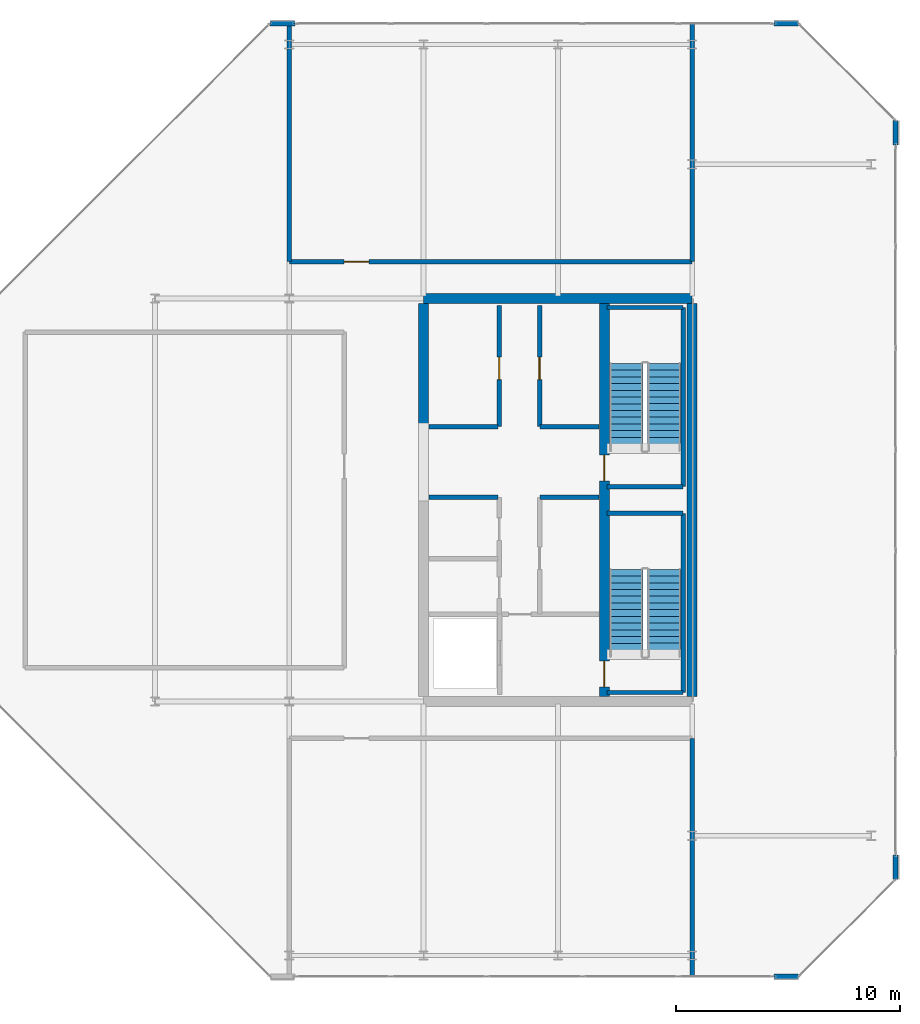
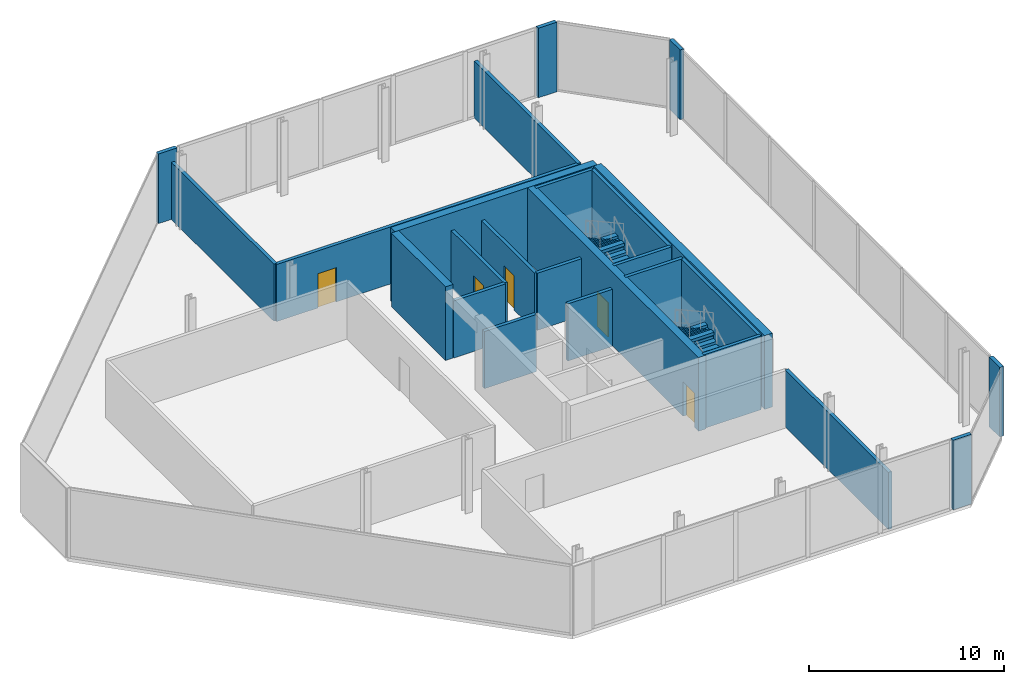
# One storey, part 14 of 16: 25 walls, 5 doors, 4 stair flights, 5 openings, 2 elements without a shape of their own.
"""IFC4 building model written with IfcOpenShell, lengths in metres."""

from ifc_helpers import new_model, si_unit, direction, frame, frame_2d, origin, place, context, subcontext, project, spatial, polyline, rectangle, outline, extrude, material, layer, layer_set, type_object, element, fill, aggregate, save


model = new_model("IFC4")

# Units and contexts
model_context = context("Model", 3, precision=1e-05, world=origin(), true_north=direction((0.0, 1.0)))
body_context = subcontext(model_context, "Body", "Model", "MODEL_VIEW")
ifc_project = project(units=[si_unit("LENGTHUNIT", "METRE"), si_unit("AREAUNIT", "SQUARE_METRE"), si_unit("VOLUMEUNIT", "CUBIC_METRE"), si_unit("PLANEANGLEUNIT", "RADIAN"), si_unit("MASSUNIT", "GRAM", prefix="KILO")], contexts=[model_context])

# Site, building, storey
site_placement = place(None, origin())
site = spatial("IfcSite", under=ifc_project, at=site_placement, CompositionType="ELEMENT")
building_placement = place(site_placement, origin())
building = spatial("IfcBuilding", under=site, at=building_placement, Name="Tanjung Sevakor Pilgrim Tower", CompositionType="ELEMENT")
storey_placement = place(building_placement, frame((0.0, 0.0, 283.139892578125)))
storey = spatial("IfcBuildingStorey", under=building, at=storey_placement, Name="L79", CompositionType="ELEMENT", Elevation=283.139892578125)

# Walls
ifc_material_1 = material(Name="Concrete C60/75", Category="concrete")
ifc_layer_1 = layer(ifc_material_1, 0.449951171875)
ifc_layer_set_1 = layer_set([ifc_layer_1], Name="WALL-CW-450")
wall_type_1 = type_object("IfcWallType", Name="WALL-CW-450", PredefinedType="SHEAR", material=ifc_layer_set_1)
wall_1_placement = place(storey_placement, frame((90.0, 42.60009765625, 0.0), z_axis=(0.0, 0.0, 1.0), x_axis=(-1.0, 0.0, 0.0)))
element("IfcWall", 1, at=wall_1_placement, inside=storey, type_object=wall_type_1, Name="L79 E Core North Shear Wall", PredefinedType="SHEAR", context=body_context, shape_type="SweptSolid", body=[
    extrude(rectangle(XDim=12.0, YDim=0.449951171875, at=frame_2d((6.0, 0.0))), origin(), (0.0, 0.0, 1.0), 4.6201171875),
])
wall_2_placement = place(storey_placement, frame((90.0, 24.824951171875, 0.0), z_axis=(0.0, 0.0, 1.0), x_axis=(0.0, 1.0, 0.0)))
element("IfcWall", 2, at=wall_2_placement, inside=storey, type_object=wall_type_1, Name="L79 E Core Outer Shear Wall", PredefinedType="SHEAR", context=body_context, shape_type="SweptSolid", body=[
    extrude(rectangle(XDim=17.550048828125, YDim=0.449951171875, at=frame_2d((8.77490234375, 0.0))), origin(), (0.0, 0.0, 1.0), 4.6201171875),
])
wall_3_placement = place(storey_placement, frame((78.0, 36.800048828125, 0.0), z_axis=(0.0, 0.0, 1.0), x_axis=(0.0, 1.0, 0.0)))
element("IfcWall", 3, at=wall_3_placement, inside=storey, type_object=wall_type_1, Name="L79 E Core Inner Shear Wall North", PredefinedType="SHEAR", context=body_context, shape_type="SweptSolid", body=[
    extrude(rectangle(XDim=5.574951171875, YDim=0.449951171875, at=frame_2d((2.78759765625, 0.0))), origin(), (0.0, 0.0, 1.0), 4.6201171875),
])

# Wall, openings, doors
wall_4_placement = place(storey_placement, frame((86.074951171875, 24.824951171875, 0.0), z_axis=(0.0, 0.0, 1.0), x_axis=(0.0, 1.0, 0.0)))
wall_4 = element("IfcWall", 4, at=wall_4_placement, inside=storey, type_object=wall_type_1, Name="L79 E Core Stair Spine Wall", PredefinedType="SHEAR", context=body_context, shape_type="SweptSolid", body=[
    extrude(rectangle(XDim=17.550048828125, YDim=0.449951171875, at=frame_2d((8.77490234375, 0.0))), origin(), (0.0, 0.0, 1.0), 4.6201171875),
])
opening_1_placement = place(wall_4_placement, frame((0.425048828125, 0.0, 0.0)))
opening_1 = element("IfcOpeningElement", 5, at=opening_1_placement, cuts=wall_4, Name="Opening ID-ST1", PredefinedType="OPENING", context=body_context, shape_type="SweptSolid", body=[
    extrude(rectangle(XDim=1.14990234375, YDim=2.14990234375, at=frame_2d((0.574951171875, 1.074951171875))), frame((0.0, 0.23486328125, 0.0), z_axis=(0.0, -1.0, 0.0), x_axis=(1.0, 0.0, 0.0)), (0.0, 0.0, 1.0), 0.469970703125),
])
opening_2_placement = place(wall_4_placement, frame((9.625, 0.0, 0.0)))
opening_2 = element("IfcOpeningElement", 6, at=opening_2_placement, cuts=wall_4, Name="Opening ID-ST1", PredefinedType="OPENING", context=body_context, shape_type="SweptSolid", body=[
    extrude(rectangle(XDim=1.14990234375, YDim=2.14990234375, at=frame_2d((0.574951171875, 1.074951171875))), frame((0.0, 0.23486328125, 0.0), z_axis=(0.0, -1.0, 0.0), x_axis=(1.0, 0.0, 0.0)), (0.0, 0.0, 1.0), 0.469970703125),
])
ifc_material_2 = material(Name="Fire-Rated Steel S355J2", Category="steel")
door_type_1 = type_object("IfcDoorType", Name="DT-FIRE-1150", OperationType="NOTDEFINED", PredefinedType="DOOR", material=ifc_material_2)
door_1_placement = place(opening_1_placement, origin())
door_1 = element("IfcDoor", 7, at=door_1_placement, inside=storey, type_object=door_type_1, Name="L79 TS-E1 Stair Fire Door", OperationType="SINGLE_SWING_RIGHT", OverallHeight=2.14990234375, OverallWidth=1.14990234375, PredefinedType="DOOR", context=body_context, shape_type="SweptSolid", body=[
    extrude(rectangle(XDim=1.14990234375, YDim=2.14990234375, at=frame_2d((0.574951171875, 1.074951171875))), frame((0.0, 0.02490234375, 0.0), z_axis=(0.0, -1.0, 0.0), x_axis=(1.0, 0.0, 0.0)), (0.0, 0.0, 1.0), 0.050048828125),
])
fill(opening_1, door_1)
door_2_placement = place(opening_2_placement, origin())
door_2 = element("IfcDoor", 8, at=door_2_placement, inside=storey, type_object=door_type_1, Name="L79 TS-E2 Stair Fire Door", OperationType="SINGLE_SWING_LEFT", OverallHeight=2.14990234375, OverallWidth=1.14990234375, PredefinedType="DOOR", context=body_context, shape_type="SweptSolid", body=[
    extrude(rectangle(XDim=1.14990234375, YDim=2.14990234375, at=frame_2d((0.574951171875, 1.074951171875))), frame((0.0, 0.02490234375, 0.0), z_axis=(0.0, -1.0, 0.0), x_axis=(1.0, 0.0, 0.0)), (0.0, 0.0, 1.0), 0.050048828125),
])
fill(opening_2, door_2)

# Walls
ifc_material_3 = material(Name="Precast concrete C45/55", Category="concrete")
ifc_layer_2 = layer(ifc_material_3, 0.219970703125)
ifc_layer_set_2 = layer_set([ifc_layer_2], Name="WT-EW-STN4")
wall_type_2 = type_object("IfcWallType", Name="WT-EW-STN4", PredefinedType="SOLIDWALL", material=ifc_layer_set_2)
for number, where, z_axis, x_axis, name in (
    (9, (93.654296875, 12.31005859375, 0.0), (0.0, 0.0, 1.0), (1.0, 0.0, 0.0), "L79 EAST Crown Pier 0-1B"),
    (10, (99.090087890625, 16.6455078125, 0.0), (0.0, 0.0, 1.0), (0.0, 1.0, 0.0), "L79 EAST Crown Pier 2-1A"),
    (11, (99.090087890625, 49.454345703125, 0.0), (0.0, 0.0, 1.0), (0.0, 1.0, 0.0), "L79 EAST Crown Pier 2-1B"),
    (12, (94.75439453125, 54.889892578125, 0.0), (0.0, 0.0, 1.0), (-1.0, 0.0, 0.0), "L79 EAST Crown Pier 4-1A"),
    (13, (72.24560546875, 54.889892578125, 0.0), (0.0, 0.0, 1.0), (-1.0, 0.0, 0.0), "L79 EAST Crown Pier 4-1B"),
):
    element("IfcWall", number, at=place(storey_placement, frame(where, z_axis=z_axis, x_axis=x_axis)), inside=storey, type_object=wall_type_2, Name=name, PredefinedType="SOLIDWALL", context=body_context, shape_type="SweptSolid", body=[
        extrude(rectangle(XDim=1.10009765625, YDim=0.219970703125, at=frame_2d((0.550048828125, 0.0))), origin(), (0.0, 0.0, 1.0), 4.360107421875),
    ])
ifc_material_4 = material(Name="Concrete C40/50", Category="concrete")
ifc_layer_3 = layer(ifc_material_4, 0.199951171875)
ifc_layer_set_3 = layer_set([ifc_layer_3], Name="WT-FIRE-200")
wall_type_3 = type_object("IfcWallType", Name="WT-FIRE-200", PredefinedType="SOLIDWALL", material=ifc_layer_set_3)
wall_5_placement = place(storey_placement, frame((86.199951171875, 25.0, 0.0), z_axis=(0.0, 0.0, 1.0), x_axis=(1.0, 0.0, 0.0)))
element("IfcWall", 14, at=wall_5_placement, inside=storey, type_object=wall_type_3, Name="L79 TS-E1 Shaft Wall 1", PredefinedType="SOLIDWALL", context=body_context, shape_type="SweptSolid", body=[
    extrude(rectangle(XDim=3.400146484375, YDim=0.199951171875, at=frame_2d((1.7001953125, 0.0))), origin(), (0.0, 0.0, 1.0), 4.6201171875),
])
wall_6_placement = place(storey_placement, frame((89.60009765625, 25.0, 0.0), z_axis=(0.0, 0.0, 1.0), x_axis=(0.0, 1.0, 0.0)))
element("IfcWall", 15, at=wall_6_placement, inside=storey, type_object=wall_type_3, Name="L79 TS-E1 Shaft Wall 2", PredefinedType="SOLIDWALL", context=body_context, shape_type="SweptSolid", body=[
    extrude(rectangle(XDim=8.0, YDim=0.199951171875, at=frame_2d((4.0, 0.0))), origin(), (0.0, 0.0, 1.0), 4.6201171875),
])
for number, where, z_axis, x_axis, name in (
    (16, (89.60009765625, 33.0, 0.0), (0.0, 0.0, 1.0), (-1.0, 0.0, 0.0), "L79 TS-E1 Shaft Wall 3"),
    (17, (86.199951171875, 34.199951171875, 0.0), (0.0, 0.0, 1.0), (1.0, 0.0, 0.0), "L79 TS-E2 Shaft Wall 1"),
):
    element("IfcWall", number, at=place(storey_placement, frame(where, z_axis=z_axis, x_axis=x_axis)), inside=storey, type_object=wall_type_3, Name=name, PredefinedType="SOLIDWALL", context=body_context, shape_type="SweptSolid", body=[
        extrude(rectangle(XDim=3.400146484375, YDim=0.199951171875, at=frame_2d((1.7001953125, 0.0))), origin(), (0.0, 0.0, 1.0), 4.6201171875),
    ])
wall_7_placement = place(storey_placement, frame((89.60009765625, 34.199951171875, 0.0), z_axis=(0.0, 0.0, 1.0), x_axis=(0.0, 1.0, 0.0)))
element("IfcWall", 18, at=wall_7_placement, inside=storey, type_object=wall_type_3, Name="L79 TS-E2 Shaft Wall 2", PredefinedType="SOLIDWALL", context=body_context, shape_type="SweptSolid", body=[
    extrude(rectangle(XDim=8.0, YDim=0.199951171875, at=frame_2d((4.0, 0.0))), origin(), (0.0, 0.0, 1.0), 4.6201171875),
])
wall_8_placement = place(storey_placement, frame((89.60009765625, 42.199951171875, 0.0), z_axis=(0.0, 0.0, 1.0), x_axis=(-1.0, 0.0, 0.0)))
element("IfcWall", 19, at=wall_8_placement, inside=storey, type_object=wall_type_3, Name="L79 TS-E2 Shaft Wall 3", PredefinedType="SOLIDWALL", context=body_context, shape_type="SweptSolid", body=[
    extrude(rectangle(XDim=3.400146484375, YDim=0.199951171875, at=frame_2d((1.7001953125, 0.0))), origin(), (0.0, 0.0, 1.0), 4.6201171875),
])
ifc_material_5 = material(Name="Concrete C40/50", Category="concrete")
ifc_layer_4 = layer(ifc_material_5, 0.199951171875)
ifc_layer_set_4 = layer_set([ifc_layer_4], Name="WT-FPRT-200")
wall_type_4 = type_object("IfcWallType", Name="WT-FPRT-200", PredefinedType="SOLIDWALL", material=ifc_layer_set_4)
wall_9_placement = place(storey_placement, frame((83.199951171875, 33.719970703125, 0.0), z_axis=(0.0, 0.0, 1.0), x_axis=(1.0, 0.0, 0.0)))
element("IfcWall", 20, at=wall_9_placement, inside=storey, type_object=wall_type_4, Name="L79 Partition IW-L79-003", PredefinedType="SOLIDWALL", context=body_context, shape_type="SweptSolid", body=[
    extrude(rectangle(XDim=2.630126953125, YDim=0.199951171875, at=frame_2d((1.31494140625, 0.0))), origin(), (0.0, 0.0, 1.0), 3.580078125),
])
wall_10_placement = place(storey_placement, frame((78.2451171875, 33.719970703125, 0.0), z_axis=(0.0, 0.0, 1.0), x_axis=(1.0, 0.0, 0.0)))
element("IfcWall", 21, at=wall_10_placement, inside=storey, type_object=wall_type_4, Name="L79 Partition IW-L79-006", PredefinedType="SOLIDWALL", context=body_context, shape_type="SweptSolid", body=[
    extrude(rectangle(XDim=3.074951171875, YDim=0.199951171875, at=frame_2d((1.53759765625, 0.0))), origin(), (0.0, 0.0, 1.0), 3.580078125),
])
wall_11_placement = place(storey_placement, frame((83.199951171875, 36.8798828125, 0.0), z_axis=(0.0, 0.0, 1.0), x_axis=(1.0, 0.0, 0.0)))
element("IfcWall", 22, at=wall_11_placement, inside=storey, type_object=wall_type_4, Name="L79 Partition IW-L79-008", PredefinedType="SOLIDWALL", context=body_context, shape_type="SweptSolid", body=[
    extrude(rectangle(XDim=2.630126953125, YDim=0.199951171875, at=frame_2d((1.31494140625, 0.0))), origin(), (0.0, 0.0, 1.0), 3.580078125),
])

# Wall, opening, door
wall_12_placement = place(storey_placement, frame((83.179931640625, 36.8798828125, 0.0), z_axis=(0.0, 0.0, 1.0), x_axis=(0.0, 1.0, 0.0)))
wall_12 = element("IfcWall", 23, at=wall_12_placement, inside=storey, type_object=wall_type_4, Name="L79 Partition IW-L79-009", PredefinedType="SOLIDWALL", context=body_context, shape_type="SweptSolid", body=[
    extrude(rectangle(XDim=5.420166015625, YDim=0.199951171875, at=frame_2d((2.7099609375, 0.0))), origin(), (0.0, 0.0, 1.0), 3.580078125),
])
opening_3_placement = place(wall_12_placement, frame((2.10009765625, 0.0, 0.0)))
opening_3 = element("IfcOpeningElement", 24, at=opening_3_placement, cuts=wall_12, Name="Opening ID-FD1", PredefinedType="OPENING", context=body_context, shape_type="SweptSolid", body=[
    extrude(rectangle(XDim=1.0, YDim=2.14990234375, at=frame_2d((0.5, 1.074951171875))), frame((0.0, 0.10986328125, 0.0), z_axis=(0.0, -1.0, 0.0), x_axis=(1.0, 0.0, 0.0)), (0.0, 0.0, 1.0), 0.219970703125),
])
ifc_material_6 = material(Name="Fire-Rated Steel S355J2", Category="steel")
door_type_2 = type_object("IfcDoorType", Name="DT-FIRE-1000", OperationType="NOTDEFINED", PredefinedType="DOOR", material=ifc_material_6)
door_3_placement = place(opening_3_placement, origin())
door_3 = element("IfcDoor", 25, at=door_3_placement, inside=storey, type_object=door_type_2, Name="L79 Core Switchroom Door", OperationType="SINGLE_SWING_RIGHT", OverallHeight=2.14990234375, OverallWidth=1.0, PredefinedType="DOOR", context=body_context, shape_type="SweptSolid", body=[
    extrude(rectangle(XDim=1.0, YDim=2.14990234375, at=frame_2d((0.5, 1.074951171875))), frame((0.0, 0.02490234375, 0.0), z_axis=(0.0, -1.0, 0.0), x_axis=(1.0, 0.0, 0.0)), (0.0, 0.0, 1.0), 0.050048828125),
])
fill(opening_3, door_3)

# Wall
wall_13_placement = place(storey_placement, frame((78.2451171875, 36.8798828125, 0.0), z_axis=(0.0, 0.0, 1.0), x_axis=(1.0, 0.0, 0.0)))
element("IfcWall", 26, at=wall_13_placement, inside=storey, type_object=wall_type_4, Name="L79 Partition IW-L79-010", PredefinedType="SOLIDWALL", context=body_context, shape_type="SweptSolid", body=[
    extrude(rectangle(XDim=3.074951171875, YDim=0.199951171875, at=frame_2d((1.53759765625, 0.0))), origin(), (0.0, 0.0, 1.0), 3.580078125),
])

# Wall, opening, door
wall_14_placement = place(storey_placement, frame((81.3798828125, 36.8798828125, 0.0), z_axis=(0.0, 0.0, 1.0), x_axis=(0.0, 1.0, 0.0)))
wall_14 = element("IfcWall", 27, at=wall_14_placement, inside=storey, type_object=wall_type_4, Name="L79 Partition IW-L79-011", PredefinedType="SOLIDWALL", context=body_context, shape_type="SweptSolid", body=[
    extrude(rectangle(XDim=5.420166015625, YDim=0.199951171875, at=frame_2d((2.7099609375, 0.0))), origin(), (0.0, 0.0, 1.0), 3.580078125),
])
opening_4_placement = place(wall_14_placement, frame((2.10009765625, 0.0, 0.0)))
opening_4 = element("IfcOpeningElement", 28, at=opening_4_placement, cuts=wall_14, Name="Opening ID-FD1", PredefinedType="OPENING", context=body_context, shape_type="SweptSolid", body=[
    extrude(rectangle(XDim=1.0, YDim=2.14990234375, at=frame_2d((0.5, 1.074951171875))), frame((0.0, 0.10986328125, 0.0), z_axis=(0.0, -1.0, 0.0), x_axis=(1.0, 0.0, 0.0)), (0.0, 0.0, 1.0), 0.219970703125),
])
door_4_placement = place(opening_4_placement, origin())
door_4 = element("IfcDoor", 29, at=door_4_placement, inside=storey, type_object=door_type_2, Name="L79 Crown Plant Door", OperationType="SINGLE_SWING_LEFT", OverallHeight=2.14990234375, OverallWidth=1.0, PredefinedType="DOOR", context=body_context, shape_type="SweptSolid", body=[
    extrude(rectangle(XDim=1.0, YDim=2.14990234375, at=frame_2d((0.5, 1.074951171875))), frame((0.0, 0.02490234375, 0.0), z_axis=(0.0, -1.0, 0.0), x_axis=(1.0, 0.0, 0.0)), (0.0, 0.0, 1.0), 0.050048828125),
])
fill(opening_4, door_4)

# Wall
wall_15_placement = place(storey_placement, frame((90.0, 12.340087890625, 0.0), z_axis=(0.0, 0.0, 1.0), x_axis=(0.0, 1.0, 0.0)))
element("IfcWall", 30, at=wall_15_placement, inside=storey, type_object=wall_type_4, Name="L79 Partition IW-L79-018", PredefinedType="SOLIDWALL", context=body_context, shape_type="SweptSolid", body=[
    extrude(rectangle(XDim=10.60986328125, YDim=0.199951171875, at=frame_2d((5.304931640625, 0.0))), origin(), (0.0, 0.0, 1.0), 3.580078125),
])

# Wall, opening, door
wall_16_placement = place(storey_placement, frame((72.0, 44.25, 0.0), z_axis=(0.0, 0.0, 1.0), x_axis=(1.0, 0.0, 0.0)))
wall_16 = element("IfcWall", 31, at=wall_16_placement, inside=storey, type_object=wall_type_4, Name="L79 Partition IW-L79-019", PredefinedType="SOLIDWALL", context=body_context, shape_type="SweptSolid", body=[
    extrude(rectangle(XDim=18.0, YDim=0.199951171875, at=frame_2d((9.0, 0.0))), origin(), (0.0, 0.0, 1.0), 3.580078125),
])
opening_5_placement = place(wall_16_placement, frame((2.449951171875, 0.0, 0.0)))
opening_5 = element("IfcOpeningElement", 32, at=opening_5_placement, cuts=wall_16, Name="Opening ID-FD0", PredefinedType="OPENING", context=body_context, shape_type="SweptSolid", body=[
    extrude(rectangle(XDim=1.10009765625, YDim=2.14990234375, at=frame_2d((0.550048828125, 1.074951171875))), frame((0.0, 0.10986328125, 0.0), z_axis=(0.0, -1.0, 0.0), x_axis=(1.0, 0.0, 0.0)), (0.0, 0.0, 1.0), 0.219970703125),
])
ifc_material_7 = material(Name="Fire-Rated Steel S355J2", Category="steel")
door_type_3 = type_object("IfcDoorType", Name="DT-FIRE-1100", OperationType="NOTDEFINED", PredefinedType="DOOR", material=ifc_material_7)
door_5_placement = place(opening_5_placement, origin())
door_5 = element("IfcDoor", 33, at=door_5_placement, inside=storey, type_object=door_type_3, Name="L79 North Switchroom Door", OperationType="SINGLE_SWING_RIGHT", OverallHeight=2.14990234375, OverallWidth=1.10009765625, PredefinedType="DOOR", context=body_context, shape_type="SweptSolid", body=[
    extrude(rectangle(XDim=1.10009765625, YDim=2.14990234375, at=frame_2d((0.550048828125, 1.074951171875))), frame((0.0, 0.02490234375, 0.0), z_axis=(0.0, -1.0, 0.0), x_axis=(1.0, 0.0, 0.0)), (0.0, 0.0, 1.0), 0.050048828125),
])
fill(opening_5, door_5)

# Walls
for number, where, z_axis, x_axis, name in (
    (34, (72.0, 44.25, 0.0), (0.0, 0.0, 1.0), (0.0, 1.0, 0.0), "L79 Partition IW-L79-020"),
    (35, (90.0, 44.25, 0.0), (0.0, 0.0, 1.0), (0.0, 1.0, 0.0), "L79 Partition IW-L79-021"),
):
    element("IfcWall", number, at=place(storey_placement, frame(where, z_axis=z_axis, x_axis=x_axis)), inside=storey, type_object=wall_type_4, Name=name, PredefinedType="SOLIDWALL", context=body_context, shape_type="SweptSolid", body=[
        extrude(rectangle(XDim=10.610107421875, YDim=0.199951171875, at=frame_2d((5.30517578125, 0.0))), origin(), (0.0, 0.0, 1.0), 3.580078125),
    ])

# Stair, stair flights
ifc_material_8 = material(Name="Concrete C40/50", Category="concrete")
stair_type = type_object("IfcStairType", Name="STAIR-ST-CR150", PredefinedType="HALF_TURN_STAIR", material=ifc_material_8)
stair_1_placement = place(storey_placement, origin())
stair_1 = element("IfcStair", 36, at=stair_1_placement, inside=storey, type_object=stair_type, Name="L79 East Core Exit Stair 1", PredefinedType="HALF_TURN_STAIR")
ifc_material_9 = material(Name="Concrete C40/50", Category="concrete")
stair_flight_type = type_object("IfcStairFlightType", Name="FLIGHT-ST-CR150", PredefinedType="STRAIGHT", material=ifc_material_9)
stair_flight_1_placement = place(storey_placement, frame((88.75, 26.60009765625, 0.0), z_axis=(0.0, 0.0, 1.0), x_axis=(0.0, 1.0, 0.0)))
stair_flight_1 = element("IfcStairFlight", 37, at=stair_flight_1_placement, type_object=stair_flight_type, Name="TS-E1 flight 1", NumberOfRisers=14, NumberOfTreads=13, PredefinedType="STRAIGHT", RiserHeight=0.165, TreadLength=0.3, context=body_context, shape_type="SweptSolid", body=[
    extrude(outline(polyline([(0.0, 0.0), (0.0, 0.1650390625), (0.300048828125, 0.1650390625), (0.300048828125, 0.330078125), (0.60009765625, 0.330078125), (0.60009765625, 0.4951171875), (0.89990234375, 0.4951171875), (0.89990234375, 0.659912109375), (1.199951171875, 0.659912109375), (1.199951171875, 0.824951171875), (1.5, 0.824951171875), (1.5, 0.989990234375), (1.800048828125, 0.989990234375), (1.800048828125, 1.155029296875), (2.10009765625, 1.155029296875), (2.10009765625, 1.320068359375), (2.39990234375, 1.320068359375), (2.39990234375, 1.485107421875), (2.699951171875, 1.485107421875), (2.699951171875, 1.64990234375), (3.0, 1.64990234375), (3.0, 1.81494140625), (3.300048828125, 1.81494140625), (3.300048828125, 1.97998046875), (3.60009765625, 1.97998046875), (3.60009765625, 2.14501953125), (3.89990234375, 2.14501953125), (3.89990234375, 2.31005859375), (3.89990234375, 1.96240234375), (0.331787109375, 0.0), (0.0, 0.0)])), frame((0.0, 0.75, 0.0), z_axis=(0.0, -1.0, 0.0), x_axis=(1.0, 0.0, 0.0)), (0.0, 0.0, 1.0), 1.5),
])
stair_flight_2_placement = place(storey_placement, frame((87.050048828125, 30.5, 2.31005859375), z_axis=(0.0, 0.0, 1.0), x_axis=(0.0, -1.0, 0.0)))
stair_flight_2 = element("IfcStairFlight", 38, at=stair_flight_2_placement, type_object=stair_flight_type, Name="TS-E1 flight 2", NumberOfRisers=14, NumberOfTreads=13, PredefinedType="STRAIGHT", RiserHeight=0.165, TreadLength=0.3, context=body_context, shape_type="SweptSolid", body=[
    extrude(outline(polyline([(0.0, 0.0), (0.0, 0.1650390625), (0.300048828125, 0.1650390625), (0.300048828125, 0.330078125), (0.60009765625, 0.330078125), (0.60009765625, 0.4951171875), (0.89990234375, 0.4951171875), (0.89990234375, 0.659912109375), (1.199951171875, 0.659912109375), (1.199951171875, 0.824951171875), (1.5, 0.824951171875), (1.5, 0.989990234375), (1.800048828125, 0.989990234375), (1.800048828125, 1.155029296875), (2.10009765625, 1.155029296875), (2.10009765625, 1.320068359375), (2.39990234375, 1.320068359375), (2.39990234375, 1.485107421875), (2.699951171875, 1.485107421875), (2.699951171875, 1.64990234375), (3.0, 1.64990234375), (3.0, 1.81494140625), (3.300048828125, 1.81494140625), (3.300048828125, 1.97998046875), (3.60009765625, 1.97998046875), (3.60009765625, 2.14501953125), (3.89990234375, 2.14501953125), (3.89990234375, 2.31005859375), (3.89990234375, 1.96240234375), (0.331787109375, 0.0), (0.0, 0.0)])), frame((0.0, 0.75, 0.0), z_axis=(0.0, -1.0, 0.0), x_axis=(1.0, 0.0, 0.0)), (0.0, 0.0, 1.0), 1.5),
])
aggregate(stair_1, [stair_flight_1, stair_flight_2])

stair_2_placement = place(storey_placement, origin())
stair_2 = element("IfcStair", 39, at=stair_2_placement, inside=storey, type_object=stair_type, Name="L79 East Core Exit Stair 2", PredefinedType="HALF_TURN_STAIR")
stair_flight_3_placement = place(storey_placement, frame((88.75, 35.800048828125, 0.0), z_axis=(0.0, 0.0, 1.0), x_axis=(0.0, 1.0, 0.0)))
stair_flight_3 = element("IfcStairFlight", 40, at=stair_flight_3_placement, type_object=stair_flight_type, Name="TS-E2 flight 1", NumberOfRisers=14, NumberOfTreads=13, PredefinedType="STRAIGHT", RiserHeight=0.165, TreadLength=0.3, context=body_context, shape_type="SweptSolid", body=[
    extrude(outline(polyline([(0.0, 0.0), (0.0, 0.1650390625), (0.300048828125, 0.1650390625), (0.300048828125, 0.330078125), (0.60009765625, 0.330078125), (0.60009765625, 0.4951171875), (0.89990234375, 0.4951171875), (0.89990234375, 0.659912109375), (1.199951171875, 0.659912109375), (1.199951171875, 0.824951171875), (1.5, 0.824951171875), (1.5, 0.989990234375), (1.800048828125, 0.989990234375), (1.800048828125, 1.155029296875), (2.10009765625, 1.155029296875), (2.10009765625, 1.320068359375), (2.39990234375, 1.320068359375), (2.39990234375, 1.485107421875), (2.699951171875, 1.485107421875), (2.699951171875, 1.64990234375), (3.0, 1.64990234375), (3.0, 1.81494140625), (3.300048828125, 1.81494140625), (3.300048828125, 1.97998046875), (3.60009765625, 1.97998046875), (3.60009765625, 2.14501953125), (3.89990234375, 2.14501953125), (3.89990234375, 2.31005859375), (3.89990234375, 1.96240234375), (0.331787109375, 0.0), (0.0, 0.0)])), frame((0.0, 0.75, 0.0), z_axis=(0.0, -1.0, 0.0), x_axis=(1.0, 0.0, 0.0)), (0.0, 0.0, 1.0), 1.5),
])
stair_flight_4_placement = place(storey_placement, frame((87.050048828125, 39.699951171875, 2.31005859375), z_axis=(0.0, 0.0, 1.0), x_axis=(0.0, -1.0, 0.0)))
stair_flight_4 = element("IfcStairFlight", 41, at=stair_flight_4_placement, type_object=stair_flight_type, Name="TS-E2 flight 2", NumberOfRisers=14, NumberOfTreads=13, PredefinedType="STRAIGHT", RiserHeight=0.165, TreadLength=0.3, context=body_context, shape_type="SweptSolid", body=[
    extrude(outline(polyline([(0.0, 0.0), (0.0, 0.1650390625), (0.300048828125, 0.1650390625), (0.300048828125, 0.330078125), (0.60009765625, 0.330078125), (0.60009765625, 0.4951171875), (0.89990234375, 0.4951171875), (0.89990234375, 0.659912109375), (1.199951171875, 0.659912109375), (1.199951171875, 0.824951171875), (1.5, 0.824951171875), (1.5, 0.989990234375), (1.800048828125, 0.989990234375), (1.800048828125, 1.155029296875), (2.10009765625, 1.155029296875), (2.10009765625, 1.320068359375), (2.39990234375, 1.320068359375), (2.39990234375, 1.485107421875), (2.699951171875, 1.485107421875), (2.699951171875, 1.64990234375), (3.0, 1.64990234375), (3.0, 1.81494140625), (3.300048828125, 1.81494140625), (3.300048828125, 1.97998046875), (3.60009765625, 1.97998046875), (3.60009765625, 2.14501953125), (3.89990234375, 2.14501953125), (3.89990234375, 2.31005859375), (3.89990234375, 1.96240234375), (0.331787109375, 0.0), (0.0, 0.0)])), frame((0.0, 0.75, 0.0), z_axis=(0.0, -1.0, 0.0), x_axis=(1.0, 0.0, 0.0)), (0.0, 0.0, 1.0), 1.5),
])
aggregate(stair_2, [stair_flight_3, stair_flight_4])

save(model, "model.ifc")
